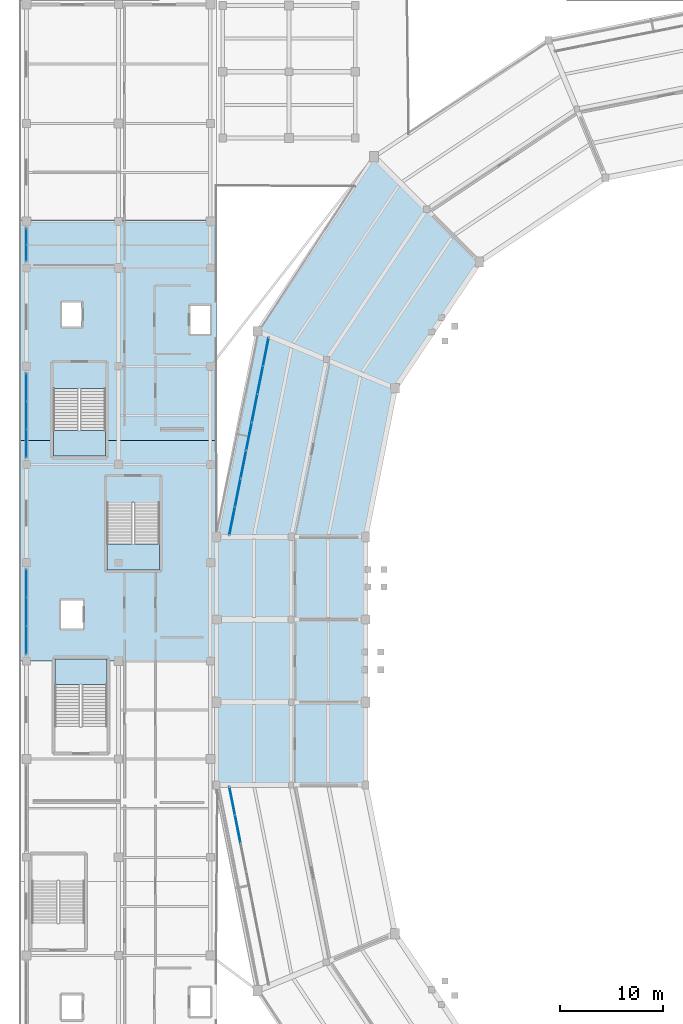
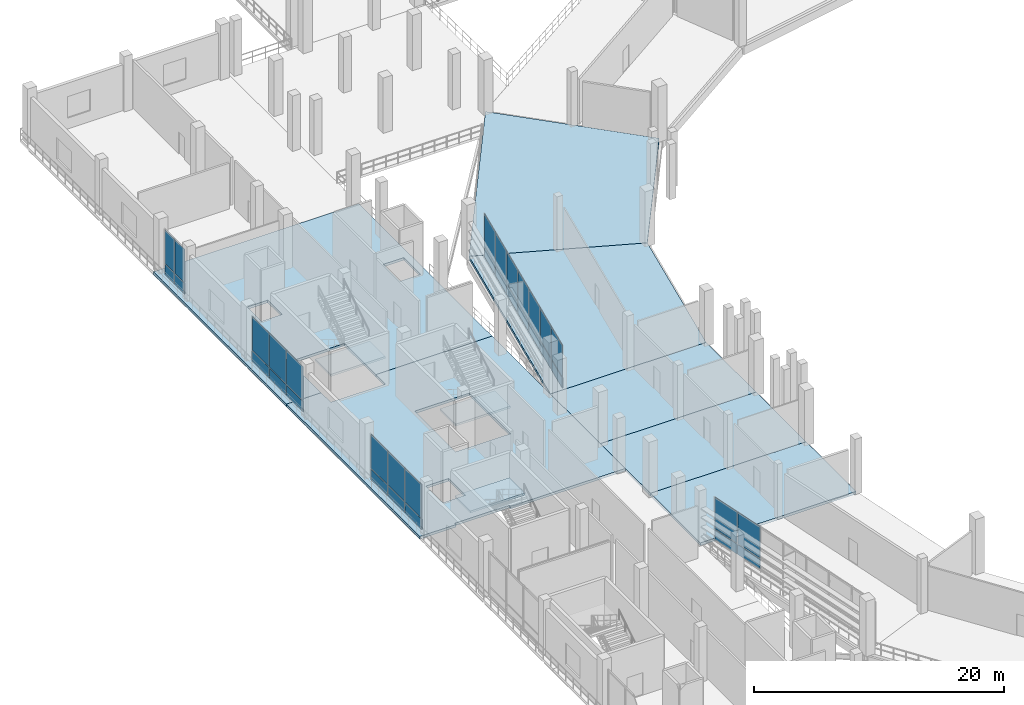
# One storey, part 64 of 114: 34 plates, 10 slabs, 8 elements without a shape of their own.
"""IFC4 building model written with IfcOpenShell, lengths in metres."""

import ifcopenshell
import ifcopenshell.guid

model = None  # the IFC model being written
_history = None  # IfcOwnerHistory: only IFC2X3 demands one
_inside = {}  # id of a spatial element -> (the spatial element, [elements in it])
_under = {}  # id of a project, library or spatial element -> (it, [spatial elements below it])
_declared = {}  # id of a project -> (the project, [libraries it declares])
_typed = {}  # id of a type object -> (the type object, [elements of that type])
_made_of = {}  # id of a material, layer set ... -> (it, [elements and type objects made of it])


def new_model(schema):
    """Start an empty IFC model of exactly this schema.

    Asked for "IFC4X3", IfcOpenShell would pick the latest addendum, in which some entities
    have other attributes; the version numbers below select the first issue.
    IFC2X3 requires an IfcOwnerHistory on every rooted entity: one is made here for all.
    """
    global model, _history
    if schema == "IFC4X3":
        model = ifcopenshell.file(schema_version=(4, 3, 0, 0))
    else:
        model = ifcopenshell.file(schema=schema)
    _inside.clear()
    _under.clear()
    _declared.clear()
    _typed.clear()
    _made_of.clear()
    _history = None
    if model.schema == "IFC2X3":
        org = make("IfcOrganization", Name="unknown")
        user = make(
            "IfcPersonAndOrganization",
            ThePerson=make("IfcPerson", FamilyName="unknown"),
            TheOrganization=org,
        )
        app = make(
            "IfcApplication",
            ApplicationDeveloper=org,
            Version="unknown",
            ApplicationFullName="unknown",
            ApplicationIdentifier="unknown",
        )
        _history = make(
            "IfcOwnerHistory",
            OwningUser=user,
            OwningApplication=app,
            ChangeAction="ADDED",
            CreationDate=0,
        )
    return model


def make(cls, **values):
    """One entity of the class cls with the attributes given. An attribute that is None is left unset."""
    return model.create_entity(
        cls, **{name: value for name, value in values.items() if value is not None}
    )


def rooted(cls, **values):
    """An entity with a GlobalId (a new one), such as an element, a storey or a relation."""
    return make(cls, GlobalId=ifcopenshell.guid.new(), OwnerHistory=_history, **values)


def si_unit(unit_type, name, prefix=None):
    """IfcSIUnit, for example si_unit("LENGTHUNIT", "METRE", prefix="MILLI")."""
    return make("IfcSIUnit", UnitType=unit_type, Prefix=prefix, Name=name)


def assignment(units):
    """IfcUnitAssignment: the units of a project."""
    return None if units is None else make("IfcUnitAssignment", Units=units)


def point(xyz):
    """IfcCartesianPoint."""
    return None if xyz is None else make("IfcCartesianPoint", Coordinates=xyz)


def direction(xyz):
    """IfcDirection."""
    return None if xyz is None else make("IfcDirection", DirectionRatios=xyz)


def frame(location, z_axis=None, x_axis=None):
    """IfcAxis2Placement3D, a coordinate frame: its origin and axes. An axis left out is left unset."""
    return make(
        "IfcAxis2Placement3D",
        Location=point(location),
        Axis=direction(z_axis),
        RefDirection=direction(x_axis),
    )


def frame_2d(location, x_axis=None):
    """IfcAxis2Placement2D, a coordinate frame in the plane: its origin and x axis."""
    return make(
        "IfcAxis2Placement2D", Location=point(location), RefDirection=direction(x_axis)
    )


def origin():
    """The frame at (0, 0, 0) with its axes left unset."""
    return frame((0.0, 0.0, 0.0))


def origin_2d():
    """The frame at (0, 0) in the plane with its x axis left unset."""
    return frame_2d((0.0, 0.0))


def place(relative_to, where):
    """IfcLocalPlacement: puts the frame where relative to a parent placement (None: the world)."""
    return make(
        "IfcLocalPlacement", PlacementRelTo=relative_to, RelativePlacement=where
    )


def context(
    kind, dimensions, precision=None, world=None, true_north=None, identifier=None
):
    """IfcGeometricRepresentationContext, for example the 3D "Model" context."""
    return make(
        "IfcGeometricRepresentationContext",
        ContextIdentifier=identifier,
        ContextType=kind,
        CoordinateSpaceDimension=dimensions,
        Precision=precision,
        WorldCoordinateSystem=world,
        TrueNorth=true_north,
    )


def subcontext(parent, identifier, kind, view, scale=None):
    """IfcGeometricRepresentationSubContext, for example "Body" below "Model"."""
    return make(
        "IfcGeometricRepresentationSubContext",
        ContextIdentifier=identifier,
        ContextType=kind,
        ParentContext=parent,
        TargetScale=scale,
        TargetView=view,
    )


def project(units=None, contexts=None):
    """IfcProject with its units and contexts."""
    return rooted(
        "IfcProject",
        Name="project",
        RepresentationContexts=contexts,
        UnitsInContext=assignment(units),
    )


def spatial(cls, under=None, at=None, **own):
    """A site, building, storey or space (cls), placed at a placement, below another one or the project."""
    s = rooted(cls, ObjectPlacement=at, **own)
    if under is not None:
        _under.setdefault(under.id(), (under, []))[1].append(s)
    return s


def polyline(points):
    """IfcPolyline through the points."""
    return make("IfcPolyline", Points=[point(p) for p in points])


def profile(cls, at=None, kind="AREA", **sizes):
    """A parametric profile (cls). Its sizes go by their IFC names, for example OverallWidth=200.0."""
    return make(cls, ProfileType=kind, Position=at, **sizes)


def rectangle(**sizes):
    """IfcRectangleProfileDef."""
    return profile("IfcRectangleProfileDef", **sizes)


def outline(outer, holes=None, kind="AREA"):
    """IfcArbitraryClosedProfileDef: a profile drawn as a closed curve; with holes, ...WithVoids."""
    if holes is None:
        return make("IfcArbitraryClosedProfileDef", ProfileType=kind, OuterCurve=outer)
    return make(
        "IfcArbitraryProfileDefWithVoids",
        ProfileType=kind,
        OuterCurve=outer,
        InnerCurves=holes,
    )


def extrude(swept, where, along, depth):
    """IfcExtrudedAreaSolid: the profile swept, set in the frame where, extruded along a direction by depth."""
    return make(
        "IfcExtrudedAreaSolid",
        SweptArea=swept,
        Position=where,
        ExtrudedDirection=direction(along),
        Depth=depth,
    )


def shape(context_of_items, identifier, shape_type, items):
    """IfcShapeRepresentation: the items that make up one representation, for example the "Body"."""
    return make(
        "IfcShapeRepresentation",
        ContextOfItems=context_of_items,
        RepresentationIdentifier=identifier,
        RepresentationType=shape_type,
        Items=items,
    )


def material(Name=None, Category=None):
    """IfcMaterial."""
    return make("IfcMaterial", Name=Name, Category=Category)


def layer(
    of_material, thickness, ventilated=None, Name=None, Category=None, Priority=None
):
    """IfcMaterialLayer: one layer of a wall or slab, of a material (None: an air gap)."""
    return make(
        "IfcMaterialLayer",
        Material=of_material,
        LayerThickness=thickness,
        IsVentilated=ventilated,
        Name=Name,
        Category=Category,
        Priority=Priority,
    )


def layer_set(layers, Name=None):
    """IfcMaterialLayerSet."""
    return make("IfcMaterialLayerSet", MaterialLayers=layers, LayerSetName=Name)


def made_of(thing, what):
    """Note that an element or type object is made of a material, layer set ...; save() writes the relation."""
    if what is not None:
        _made_of.setdefault(what.id(), (what, []))[1].append(thing)
    return thing


def type_object(cls, material=None, **own):
    """A type object (cls), such as IfcWallType, which elements share."""
    return made_of(rooted(cls, **own), material)


def element(
    cls,
    number,
    at=None,
    inside=None,
    cuts=None,
    type_object=None,
    material=None,
    context=None,
    identifier="Body",
    shape_type=None,
    held_by="IfcProductDefinitionShape",
    body=None,
    shapes=None,
    **own,
):
    """One element of the class cls, such as IfcWall. Its Tag is "e" and its number.

    at: its placement. inside: the storey or other place that contains it. cuts: it is an
    opening in that element (IfcRelVoidsElement). A single representation is given by context,
    identifier, shape_type and body (its items); several are given by shapes. held_by: the class
    of the entity that holds the representations. save() writes the other relations.
    """
    e = rooted(cls, Tag="e%d" % number, ObjectPlacement=at, **own)
    if body is not None:
        shapes = [shape(context, identifier, shape_type, body)]
    if shapes is not None:
        e.Representation = make(held_by, Representations=shapes)
    if inside is not None:
        _inside.setdefault(inside.id(), (inside, []))[1].append(e)
    if cuts is not None:
        rooted(
            "IfcRelVoidsElement", RelatingBuildingElement=cuts, RelatedOpeningElement=e
        )
    if type_object is not None:
        _typed.setdefault(type_object.id(), (type_object, []))[1].append(e)
    return made_of(e, material)


def aggregate(whole, parts):
    """IfcRelAggregates: a whole, such as a stair, and the parts it consists of."""
    return rooted("IfcRelAggregates", RelatingObject=whole, RelatedObjects=parts)


def save(model, path):
    """Write the relations noted so far, then the file.

    IfcRelAggregates (storeys below a building ...), IfcRelContainedInSpatialStructure (elements
    in a storey), IfcRelDefinesByType, IfcRelAssociatesMaterial and IfcRelDeclares: one each for
    every whole, place, type object, material and project.
    """
    for whole, parts in _under.values():
        aggregate(whole, parts)
    for where, things in _inside.values():
        rooted(
            "IfcRelContainedInSpatialStructure",
            RelatedElements=things,
            RelatingStructure=where,
        )
    for kind, things in _typed.values():
        rooted("IfcRelDefinesByType", RelatedObjects=things, RelatingType=kind)
    for what, things in _made_of.values():
        rooted("IfcRelAssociatesMaterial", RelatedObjects=things, RelatingMaterial=what)
    for by, libraries in _declared.values():
        rooted("IfcRelDeclares", RelatingContext=by, RelatedDefinitions=libraries)
    model.write(path)


model = new_model("IFC4")

# Units and contexts
model_context = context("Model", 3, precision=1e-05, world=origin(), true_north=direction((0.0, 1.0)))
body_context = subcontext(model_context, "Body", "Model", "MODEL_VIEW")
ifc_project = project(units=[si_unit("LENGTHUNIT", "METRE"), si_unit("AREAUNIT", "SQUARE_METRE"), si_unit("VOLUMEUNIT", "CUBIC_METRE"), si_unit("PLANEANGLEUNIT", "RADIAN"), si_unit("MASSUNIT", "GRAM", prefix="KILO")], contexts=[model_context])

# Site, building, storey
site_placement = place(None, origin())
site = spatial("IfcSite", under=ifc_project, at=site_placement, CompositionType="ELEMENT")
building_placement = place(site_placement, origin())
building = spatial("IfcBuilding", under=site, at=building_placement, Name="Candeia Ridge Stadium", CompositionType="ELEMENT")
storey_placement = place(building_placement, frame((0.0, 0.0, 5.39990234375)))
storey = spatial("IfcBuildingStorey", under=building, at=storey_placement, Name="L01", CompositionType="ELEMENT", Elevation=5.39990234375)

# Slabs
ifc_material_1 = material(Name="Concrete C40/50", Category="concrete")
ifc_layer_1 = layer(ifc_material_1, 0.260009765625, Name="Concrete C40/50", Category="concrete")
ifc_layer_set_1 = layer_set([ifc_layer_1], Name="Concrete C40/50")
slab_type_1 = type_object("IfcSlabType", Name="Concourse Structural Slab 260", PredefinedType="FLOOR", material=ifc_layer_set_1)
slab_1_placement = place(storey_placement, frame((0.0, 0.0, -0.260009765625)))
element("IfcSlab", 1, at=slab_1_placement, inside=storey, type_object=slab_type_1, Name="Bowl concourse sector slab L01 bay 10 SLB-L01-0046", PredefinedType="FLOOR", context=body_context, shape_type="SweptSolid", body=[
    extrude(outline(polyline([(36.26220703125, 109.388916015625), (22.958251953125, 114.8994140625), (34.208251953125, 131.736328125), (44.390625, 121.553955078125), (36.26220703125, 109.388916015625)])), origin(), (0.0, 0.0, 1.0), 0.260009765625),
])
slab_2_placement = place(storey_placement, frame((0.0, 0.0, -0.260009765625)))
element("IfcSlab", 2, at=slab_2_placement, inside=storey, type_object=slab_type_1, Name="Bowl concourse sector slab L01 bay 11 SLB-L01-0047", PredefinedType="FLOOR", context=body_context, shape_type="SweptSolid", body=[
    extrude(outline(polyline([(33.39990234375, 95.0), (19.0, 95.0), (22.958251953125, 114.8994140625), (36.26220703125, 109.388916015625), (33.39990234375, 95.0)])), origin(), (0.0, 0.0, 1.0), 0.260009765625),
])
slab_3_placement = place(storey_placement, frame((0.0, 0.0, -0.260009765625)))
element("IfcSlab", 3, at=slab_3_placement, inside=storey, type_object=slab_type_1, Name="Bowl concourse sector slab L01 bay 12 SLB-L01-0048", PredefinedType="FLOOR", context=body_context, shape_type="SweptSolid", body=[
    extrude(outline(polyline([(33.39990234375, 87.0), (19.0, 87.0), (19.0, 95.0), (33.39990234375, 95.0), (33.39990234375, 87.0)])), origin(), (0.0, 0.0, 1.0), 0.260009765625),
])
slab_4_placement = place(storey_placement, frame((0.0, 0.0, -0.260009765625)))
element("IfcSlab", 4, at=slab_4_placement, inside=storey, type_object=slab_type_1, Name="Bowl concourse sector slab L01 bay 13 SLB-L01-0049", PredefinedType="FLOOR", context=body_context, shape_type="SweptSolid", body=[
    extrude(outline(polyline([(33.39990234375, 79.0), (19.0, 79.0), (19.0, 87.0), (33.39990234375, 87.0), (33.39990234375, 79.0)])), origin(), (0.0, 0.0, 1.0), 0.260009765625),
])
slab_5_placement = place(storey_placement, frame((0.0, 0.0, -0.260009765625)))
element("IfcSlab", 5, at=slab_5_placement, inside=storey, type_object=slab_type_1, Name="Bowl concourse sector slab L01 bay 14 SLB-L01-0050", PredefinedType="FLOOR", context=body_context, shape_type="SweptSolid", body=[
    extrude(outline(polyline([(33.39990234375, 71.0), (19.0, 71.0), (19.0, 79.0), (33.39990234375, 79.0), (33.39990234375, 71.0)])), origin(), (0.0, 0.0, 1.0), 0.260009765625),
])

# Stair, slab
stair_type = type_object("IfcStairType", Name="Enclosed Core Half-Turn Stair 2450", PredefinedType="HALF_TURN_STAIR", material=ifc_material_1)
stair_1_placement = place(storey_placement, origin())
stair_1 = element("IfcStair", 6, at=stair_1_placement, inside=storey, type_object=stair_type, Name="L01 Enclosed exit stair ST06", PredefinedType="HALF_TURN_STAIR")
ifc_layer_2 = layer(ifc_material_1, 0.199951171875, Name="Concrete C40/50", Category="concrete")
ifc_layer_set_2 = layer_set([ifc_layer_2], Name="Concrete C40/50")
slab_type_2 = type_object("IfcSlabType", Name="Core Stair Landing Slab 200", PredefinedType="LANDING", material=ifc_layer_set_2)
slab_6_placement = place(storey_placement, frame((0.0, 0.0, 2.5)))
slab_6 = element("IfcSlab", 7, at=slab_6_placement, type_object=slab_type_2, Name="ST06 landing 1", PredefinedType="LANDING", context=body_context, shape_type="SweptSolid", body=[
    extrude(outline(polyline([(3.199951171875, 105.2900390625), (3.199951171875, 102.800048828125), (8.25, 102.800048828125), (8.25, 105.2900390625), (3.199951171875, 105.2900390625)])), origin(), (0.0, 0.0, 1.0), 0.2001953125),
])
aggregate(stair_1, [slab_6])

stair_2_placement = place(storey_placement, origin())
stair_2 = element("IfcStair", 8, at=stair_2_placement, inside=storey, type_object=stair_type, Name="L01 Enclosed exit stair ST07", PredefinedType="HALF_TURN_STAIR")
slab_7_placement = place(storey_placement, frame((0.0, 0.0, 2.5)))
slab_7 = element("IfcSlab", 9, at=slab_7_placement, type_object=slab_type_2, Name="ST07 landing 1", PredefinedType="LANDING", context=body_context, shape_type="SweptSolid", body=[
    extrude(outline(polyline([(8.39990234375, 80.7099609375), (8.39990234375, 83.199951171875), (3.35009765625, 83.199951171875), (3.35009765625, 80.7099609375), (8.39990234375, 80.7099609375)])), origin(), (0.0, 0.0, 1.0), 0.2001953125),
])
aggregate(stair_2, [slab_7])

stair_3_placement = place(storey_placement, origin())
stair_3 = element("IfcStair", 10, at=stair_3_placement, inside=storey, type_object=stair_type, Name="L01 Enclosed exit stair ST08", PredefinedType="HALF_TURN_STAIR")
slab_8_placement = place(storey_placement, frame((0.0, 0.0, 2.5)))
slab_8 = element("IfcSlab", 11, at=slab_8_placement, type_object=slab_type_2, Name="ST08 landing 1", PredefinedType="LANDING", context=body_context, shape_type="SweptSolid", body=[
    extrude(outline(polyline([(8.39990234375, 94.2900390625), (8.39990234375, 91.800048828125), (13.449951171875, 91.800048828125), (13.449951171875, 94.2900390625), (8.39990234375, 94.2900390625)])), origin(), (0.0, 0.0, 1.0), 0.2001953125),
])
aggregate(stair_3, [slab_8])

# Curtain wall, plates
ifc_material_2 = material(Name="Aluminium Anodized Warm Bronze", Category="aluminium")
curtain_wall_type_1 = type_object("IfcCurtainWallType", Name="Cardinal Entrance Gate Tall Glazed Curtain Wall", PredefinedType="NOTDEFINED", material=ifc_material_2)
curtain_wall_1_placement = place(storey_placement, origin())
curtain_wall_1 = element("IfcCurtainWall", 12, at=curtain_wall_1_placement, inside=storey, type_object=curtain_wall_type_1, Name="Unitised curtain wall CW-WNG-L01-078", PredefinedType="NOTDEFINED")
ifc_material_3 = material(Name="Laminated Acoustic Glazing", Category="glass")
ifc_layer_3 = layer(ifc_material_3, 0.035888671875, Name="Laminated Acoustic Glazing", Category="glass")
ifc_layer_set_3 = layer_set([ifc_layer_3], Name="Laminated Acoustic Glazing")
plate_type_1 = type_object("IfcPlateType", Name="Gate Tall Laminated Glass Panel GP3", PredefinedType="CURTAIN_PANEL", material=ifc_layer_set_3)
plate_1_placement = place(storey_placement, frame((0.60009765625, 85.023193359375, 1.14013671875), z_axis=(0.0, 0.0, 1.0), x_axis=(0.0, 1.0, 0.0)))
plate_1 = element("IfcPlate", 13, at=plate_1_placement, type_object=plate_type_1, Name="Curtain wall vision glass panel CW-WNG-L01-078-GP0", PredefinedType="CURTAIN_PANEL", context=body_context, shape_type="SweptSolid", body=[
    extrude(rectangle(XDim=2.65673828125, YDim=0.035888671875, at=origin_2d()), origin(), (0.0, 0.0, 1.0), 3.294921875),
])
plate_2_placement = place(storey_placement, frame((0.60009765625, 87.75, 1.14013671875), z_axis=(0.0, 0.0, 1.0), x_axis=(0.0, 1.0, 0.0)))
plate_2 = element("IfcPlate", 14, at=plate_2_placement, type_object=plate_type_1, Name="Curtain wall vision glass panel CW-WNG-L01-078-GP1", PredefinedType="CURTAIN_PANEL", context=body_context, shape_type="SweptSolid", body=[
    extrude(rectangle(XDim=2.65673828125, YDim=0.035888671875, at=origin_2d()), origin(), (0.0, 0.0, 1.0), 3.294921875),
])
plate_3_placement = place(storey_placement, frame((0.60009765625, 90.476806640625, 1.14013671875), z_axis=(0.0, 0.0, 1.0), x_axis=(0.0, 1.0, 0.0)))
plate_3 = element("IfcPlate", 15, at=plate_3_placement, type_object=plate_type_1, Name="Curtain wall vision glass panel CW-WNG-L01-078-GP2", PredefinedType="CURTAIN_PANEL", context=body_context, shape_type="SweptSolid", body=[
    extrude(rectangle(XDim=2.65673828125, YDim=0.035888671875, at=origin_2d()), origin(), (0.0, 0.0, 1.0), 3.294921875),
])

curtain_wall_2_placement = place(storey_placement, origin())
curtain_wall_2 = element("IfcCurtainWall", 16, at=curtain_wall_2_placement, inside=storey, type_object=curtain_wall_type_1, Name="Unitised curtain wall CW-WNG-L01-079", PredefinedType="NOTDEFINED")
plate_4_placement = place(storey_placement, frame((0.60009765625, 104.023193359375, 1.14013671875), z_axis=(0.0, 0.0, 1.0), x_axis=(0.0, 1.0, 0.0)))
plate_4 = element("IfcPlate", 17, at=plate_4_placement, type_object=plate_type_1, Name="Curtain wall vision glass panel CW-WNG-L01-079-GP0", PredefinedType="CURTAIN_PANEL", context=body_context, shape_type="SweptSolid", body=[
    extrude(rectangle(XDim=2.65673828125, YDim=0.035888671875, at=origin_2d()), origin(), (0.0, 0.0, 1.0), 3.294921875),
])
plate_5_placement = place(storey_placement, frame((0.60009765625, 106.75, 1.14013671875), z_axis=(0.0, 0.0, 1.0), x_axis=(0.0, 1.0, 0.0)))
plate_5 = element("IfcPlate", 18, at=plate_5_placement, type_object=plate_type_1, Name="Curtain wall vision glass panel CW-WNG-L01-079-GP1", PredefinedType="CURTAIN_PANEL", context=body_context, shape_type="SweptSolid", body=[
    extrude(rectangle(XDim=2.65673828125, YDim=0.035888671875, at=origin_2d()), origin(), (0.0, 0.0, 1.0), 3.294921875),
])
plate_6_placement = place(storey_placement, frame((0.60009765625, 109.476806640625, 1.14013671875), z_axis=(0.0, 0.0, 1.0), x_axis=(0.0, 1.0, 0.0)))
plate_6 = element("IfcPlate", 19, at=plate_6_placement, type_object=plate_type_1, Name="Curtain wall vision glass panel CW-WNG-L01-079-GP2", PredefinedType="CURTAIN_PANEL", context=body_context, shape_type="SweptSolid", body=[
    extrude(rectangle(XDim=2.65673828125, YDim=0.035888671875, at=origin_2d()), origin(), (0.0, 0.0, 1.0), 3.294921875),
])

curtain_wall_3_placement = place(storey_placement, origin())
curtain_wall_3 = element("IfcCurtainWall", 20, at=curtain_wall_3_placement, inside=storey, type_object=curtain_wall_type_1, Name="Unitised curtain wall CW-WNG-L01-080", PredefinedType="NOTDEFINED")
plate_7_placement = place(storey_placement, frame((0.60009765625, 122.455078125, 1.14013671875), z_axis=(0.0, 0.0, 1.0), x_axis=(0.0, 1.0, 0.0)))
plate_7 = element("IfcPlate", 21, at=plate_7_placement, type_object=plate_type_1, Name="Curtain wall vision glass panel CW-WNG-L01-080-GP0", PredefinedType="CURTAIN_PANEL", context=body_context, shape_type="SweptSolid", body=[
    extrude(rectangle(XDim=1.52001953125, YDim=0.035888671875, at=origin_2d()), origin(), (0.0, 0.0, 1.0), 3.294921875),
])
plate_8_placement = place(storey_placement, frame((0.60009765625, 124.044921875, 1.14013671875), z_axis=(0.0, 0.0, 1.0), x_axis=(0.0, 1.0, 0.0)))
plate_8 = element("IfcPlate", 22, at=plate_8_placement, type_object=plate_type_1, Name="Curtain wall vision glass panel CW-WNG-L01-080-GP1", PredefinedType="CURTAIN_PANEL", context=body_context, shape_type="SweptSolid", body=[
    extrude(rectangle(XDim=1.52001953125, YDim=0.035888671875, at=origin_2d()), origin(), (0.0, 0.0, 1.0), 3.294921875),
])

# Slabs
ifc_layer_4 = layer(ifc_material_1, 0.25, Name="Concrete C40/50", Category="concrete")
ifc_layer_set_4 = layer_set([ifc_layer_4], Name="Concrete C40/50")
slab_type_3 = type_object("IfcSlabType", Name="Hospitality & Museum Slab 250", PredefinedType="FLOOR", material=ifc_layer_set_4)
slab_9_placement = place(storey_placement, frame((0.0, 0.0, -0.25)))
element("IfcSlab", 23, at=slab_9_placement, inside=storey, type_object=slab_type_3, Name="Wing floor slab west SLB-L01-0215", PredefinedType="FLOOR", context=body_context, shape_type="SweptSolid", body=[
    extrude(outline(polyline([(19.0, 104.333251953125), (19.0, 83.0), (8.39990234375, 83.0), (8.39990234375, 83.199951171875), (3.35009765625, 83.199951171875), (3.35009765625, 83.0), (0.0, 83.0), (0.0, 104.333251953125), (3.199951171875, 104.333251953125), (3.199951171875, 102.800048828125), (8.25, 102.800048828125), (8.25, 104.333251953125), (19.0, 104.333251953125)]), holes=[polyline([(6.050048828125, 86.14990234375), (6.050048828125, 88.85009765625), (3.949951171875, 88.85009765625), (3.949951171875, 86.14990234375), (6.050048828125, 86.14990234375)]), polyline([(8.39990234375, 98.349365234375), (8.39990234375, 91.800048828125), (13.449951171875, 91.800048828125), (13.449951171875, 98.349365234375), (8.39990234375, 98.349365234375)])]), origin(), (0.0, 0.0, 1.0), 0.25),
])
slab_10_placement = place(storey_placement, frame((0.0, 0.0, -0.25)))
element("IfcSlab", 24, at=slab_10_placement, inside=storey, type_object=slab_type_3, Name="Wing floor slab west SLB-L01-0216", PredefinedType="FLOOR", context=body_context, shape_type="SweptSolid", body=[
    extrude(outline(polyline([(0.0, 104.333251953125), (0.0, 125.666748046875), (19.0, 125.666748046875), (19.0, 104.333251953125), (8.25, 104.333251953125), (8.25, 109.349365234375), (3.199951171875, 109.349365234375), (3.199951171875, 104.333251953125), (0.0, 104.333251953125)]), holes=[polyline([(18.35009765625, 114.64990234375), (18.35009765625, 117.35009765625), (16.449951171875, 117.35009765625), (16.449951171875, 114.64990234375), (18.35009765625, 114.64990234375)]), polyline([(5.949951171875, 115.35009765625), (5.949951171875, 117.64990234375), (4.050048828125, 117.64990234375), (4.050048828125, 115.35009765625), (5.949951171875, 115.35009765625)])]), origin(), (0.0, 0.0, 1.0), 0.25),
])

# Curtain wall, plates
curtain_wall_type_2 = type_object("IfcCurtainWallType", Name="Concourse Recessed Unitised Curtain Wall", PredefinedType="NOTDEFINED", material=ifc_material_2)
curtain_wall_4_placement = place(storey_placement, origin())
curtain_wall_4 = element("IfcCurtainWall", 25, at=curtain_wall_4_placement, inside=storey, type_object=curtain_wall_type_2, Name="Unitised curtain wall CW-BWL-L01-10", PredefinedType="NOTDEFINED")
ifc_material_4 = material(Name="Aluminium Insulated Spandrel", Category="aluminium")
ifc_layer_5 = layer(ifc_material_4, 0.06494140625, Name="Aluminium Insulated Spandrel", Category="aluminium")
ifc_layer_set_5 = layer_set([ifc_layer_5], Name="Aluminium Insulated Spandrel")
plate_type_2 = type_object("IfcPlateType", Name="Insulated Bronze Spandrel Panel SP5", PredefinedType="CURTAIN_PANEL", material=ifc_layer_set_5)
plate_9_placement = place(storey_placement, frame((23.760498046875, 112.900390625, 0.0400390625), z_axis=(0.0, 0.0, 1.0), x_axis=(-0.195090320544, -0.980785280696, 0.0)))
plate_9 = element("IfcPlate", 26, at=plate_9_placement, type_object=plate_type_2, Name="Curtain wall spandrel panel CW-BWL-L01-10-SP0", PredefinedType="CURTAIN_PANEL", context=body_context, shape_type="SweptSolid", body=[
    extrude(rectangle(XDim=2.710205078125, YDim=0.06494140625, at=origin_2d()), origin(), (0.0, 0.0, 1.0), 0.981201171875),
])
plate_10_placement = place(storey_placement, frame((23.21826171875, 110.173583984375, 0.0400390625), z_axis=(0.0, 0.0, 1.0), x_axis=(-0.195090320544, -0.980785280696, 0.0)))
plate_10 = element("IfcPlate", 27, at=plate_10_placement, type_object=plate_type_2, Name="Curtain wall spandrel panel CW-BWL-L01-10-SP1", PredefinedType="CURTAIN_PANEL", context=body_context, shape_type="SweptSolid", body=[
    extrude(rectangle(XDim=2.710205078125, YDim=0.06494140625, at=origin_2d()), origin(), (0.0, 0.0, 1.0), 0.981201171875),
])
plate_11_placement = place(storey_placement, frame((22.67578125, 107.447021484375, 0.0400390625), z_axis=(0.0, 0.0, 1.0), x_axis=(-0.195090320544, -0.980785280696, 0.0)))
plate_11 = element("IfcPlate", 28, at=plate_11_placement, type_object=plate_type_2, Name="Curtain wall spandrel panel CW-BWL-L01-10-SP2", PredefinedType="CURTAIN_PANEL", context=body_context, shape_type="SweptSolid", body=[
    extrude(rectangle(XDim=2.710205078125, YDim=0.06494140625, at=origin_2d()), origin(), (0.0, 0.0, 1.0), 0.981201171875),
])
plate_12_placement = place(storey_placement, frame((22.13330078125, 104.72021484375, 0.0400390625), z_axis=(0.0, 0.0, 1.0), x_axis=(-0.195090320544, -0.980785280696, 0.0)))
plate_12 = element("IfcPlate", 29, at=plate_12_placement, type_object=plate_type_2, Name="Curtain wall spandrel panel CW-BWL-L01-10-SP3", PredefinedType="CURTAIN_PANEL", context=body_context, shape_type="SweptSolid", body=[
    extrude(rectangle(XDim=2.710205078125, YDim=0.06494140625, at=origin_2d()), origin(), (0.0, 0.0, 1.0), 0.981201171875),
])
plate_13_placement = place(storey_placement, frame((21.591064453125, 101.993408203125, 0.0400390625), z_axis=(0.0, 0.0, 1.0), x_axis=(-0.195090320544, -0.980785280696, 0.0)))
plate_13 = element("IfcPlate", 30, at=plate_13_placement, type_object=plate_type_2, Name="Curtain wall spandrel panel CW-BWL-L01-10-SP4", PredefinedType="CURTAIN_PANEL", context=body_context, shape_type="SweptSolid", body=[
    extrude(rectangle(XDim=2.710205078125, YDim=0.06494140625, at=origin_2d()), origin(), (0.0, 0.0, 1.0), 0.981201171875),
])
plate_14_placement = place(storey_placement, frame((21.048583984375, 99.2666015625, 0.0400390625), z_axis=(0.0, 0.0, 1.0), x_axis=(-0.195090320544, -0.980785280696, 0.0)))
plate_14 = element("IfcPlate", 31, at=plate_14_placement, type_object=plate_type_2, Name="Curtain wall spandrel panel CW-BWL-L01-10-SP5", PredefinedType="CURTAIN_PANEL", context=body_context, shape_type="SweptSolid", body=[
    extrude(rectangle(XDim=2.710205078125, YDim=0.06494140625, at=origin_2d()), origin(), (0.0, 0.0, 1.0), 0.981201171875),
])
plate_15_placement = place(storey_placement, frame((20.50634765625, 96.539794921875, 0.0400390625), z_axis=(0.0, 0.0, 1.0), x_axis=(-0.195090320544, -0.980785280696, 0.0)))
plate_15 = element("IfcPlate", 32, at=plate_15_placement, type_object=plate_type_2, Name="Curtain wall spandrel panel CW-BWL-L01-10-SP6", PredefinedType="CURTAIN_PANEL", context=body_context, shape_type="SweptSolid", body=[
    extrude(rectangle(XDim=2.710205078125, YDim=0.06494140625, at=origin_2d()), origin(), (0.0, 0.0, 1.0), 0.981201171875),
])

curtain_wall_5_placement = place(storey_placement, origin())
curtain_wall_5 = element("IfcCurtainWall", 33, at=curtain_wall_5_placement, inside=storey, type_object=curtain_wall_type_2, Name="Unitised curtain wall CW-BWL-L01-14", PredefinedType="NOTDEFINED")
plate_16_placement = place(storey_placement, frame((20.50634765625, 69.460205078125, 0.0400390625), z_axis=(0.0, 0.0, 1.0), x_axis=(0.195090320544, -0.980785280696, 0.0)))
plate_16 = element("IfcPlate", 34, at=plate_16_placement, type_object=plate_type_2, Name="Curtain wall spandrel panel CW-BWL-L01-14-SP0", PredefinedType="CURTAIN_PANEL", context=body_context, shape_type="SweptSolid", body=[
    extrude(rectangle(XDim=2.710205078125, YDim=0.06494140625, at=origin_2d()), origin(), (0.0, 0.0, 1.0), 0.97119140625),
])
plate_17_placement = place(storey_placement, frame((21.048583984375, 66.7333984375, 0.0400390625), z_axis=(0.0, 0.0, 1.0), x_axis=(0.195090320544, -0.980785280696, 0.0)))
plate_17 = element("IfcPlate", 35, at=plate_17_placement, type_object=plate_type_2, Name="Curtain wall spandrel panel CW-BWL-L01-14-SP1", PredefinedType="CURTAIN_PANEL", context=body_context, shape_type="SweptSolid", body=[
    extrude(rectangle(XDim=2.710205078125, YDim=0.06494140625, at=origin_2d()), origin(), (0.0, 0.0, 1.0), 0.97119140625),
])

# Plate
ifc_layer_6 = layer(ifc_material_4, 0.06494140625, Name="Aluminium Insulated Spandrel", Category="aluminium")
ifc_layer_set_6 = layer_set([ifc_layer_6], Name="Aluminium Insulated Spandrel")
plate_type_3 = type_object("IfcPlateType", Name="Insulated Cedar-Tone Spandrel Panel SP3", PredefinedType="CURTAIN_PANEL", material=ifc_layer_set_6)
plate_18_placement = place(storey_placement, frame((0.60009765625, 85.023193359375, 0.0400390625), z_axis=(0.0, 0.0, 1.0), x_axis=(0.0, 1.0, 0.0)))
plate_18 = element("IfcPlate", 36, at=plate_18_placement, type_object=plate_type_3, Name="Curtain wall spandrel panel CW-WNG-L01-078-SP0", PredefinedType="CURTAIN_PANEL", context=body_context, shape_type="SweptSolid", body=[
    extrude(rectangle(XDim=2.65673828125, YDim=0.06494140625, at=origin_2d()), origin(), (0.0, 0.0, 1.0), 1.02001953125),
])

plate_19_placement = place(storey_placement, frame((0.60009765625, 87.75, 0.0400390625), z_axis=(0.0, 0.0, 1.0), x_axis=(0.0, 1.0, 0.0)))
plate_19 = element("IfcPlate", 37, at=plate_19_placement, type_object=plate_type_3, Name="Curtain wall spandrel panel CW-WNG-L01-078-SP1", PredefinedType="CURTAIN_PANEL", context=body_context, shape_type="SweptSolid", body=[
    extrude(rectangle(XDim=2.65673828125, YDim=0.06494140625, at=origin_2d()), origin(), (0.0, 0.0, 1.0), 1.02001953125),
])

plate_20_placement = place(storey_placement, frame((0.60009765625, 90.476806640625, 0.0400390625), z_axis=(0.0, 0.0, 1.0), x_axis=(0.0, 1.0, 0.0)))
plate_20 = element("IfcPlate", 38, at=plate_20_placement, type_object=plate_type_3, Name="Curtain wall spandrel panel CW-WNG-L01-078-SP2", PredefinedType="CURTAIN_PANEL", context=body_context, shape_type="SweptSolid", body=[
    extrude(rectangle(XDim=2.65673828125, YDim=0.06494140625, at=origin_2d()), origin(), (0.0, 0.0, 1.0), 1.02001953125),
])

aggregate(curtain_wall_1, [plate_18, plate_1, plate_19, plate_2, plate_20, plate_3])

plate_21_placement = place(storey_placement, frame((0.60009765625, 104.023193359375, 0.0400390625), z_axis=(0.0, 0.0, 1.0), x_axis=(0.0, 1.0, 0.0)))
plate_21 = element("IfcPlate", 39, at=plate_21_placement, type_object=plate_type_3, Name="Curtain wall spandrel panel CW-WNG-L01-079-SP0", PredefinedType="CURTAIN_PANEL", context=body_context, shape_type="SweptSolid", body=[
    extrude(rectangle(XDim=2.65673828125, YDim=0.06494140625, at=origin_2d()), origin(), (0.0, 0.0, 1.0), 1.02001953125),
])

plate_22_placement = place(storey_placement, frame((0.60009765625, 106.75, 0.0400390625), z_axis=(0.0, 0.0, 1.0), x_axis=(0.0, 1.0, 0.0)))
plate_22 = element("IfcPlate", 40, at=plate_22_placement, type_object=plate_type_3, Name="Curtain wall spandrel panel CW-WNG-L01-079-SP1", PredefinedType="CURTAIN_PANEL", context=body_context, shape_type="SweptSolid", body=[
    extrude(rectangle(XDim=2.65673828125, YDim=0.06494140625, at=origin_2d()), origin(), (0.0, 0.0, 1.0), 1.02001953125),
])

plate_23_placement = place(storey_placement, frame((0.60009765625, 109.476806640625, 0.0400390625), z_axis=(0.0, 0.0, 1.0), x_axis=(0.0, 1.0, 0.0)))
plate_23 = element("IfcPlate", 41, at=plate_23_placement, type_object=plate_type_3, Name="Curtain wall spandrel panel CW-WNG-L01-079-SP2", PredefinedType="CURTAIN_PANEL", context=body_context, shape_type="SweptSolid", body=[
    extrude(rectangle(XDim=2.65673828125, YDim=0.06494140625, at=origin_2d()), origin(), (0.0, 0.0, 1.0), 1.02001953125),
])

aggregate(curtain_wall_2, [plate_21, plate_4, plate_22, plate_5, plate_23, plate_6])

plate_24_placement = place(storey_placement, frame((0.60009765625, 122.455078125, 0.0400390625), z_axis=(0.0, 0.0, 1.0), x_axis=(0.0, 1.0, 0.0)))
plate_24 = element("IfcPlate", 42, at=plate_24_placement, type_object=plate_type_3, Name="Curtain wall spandrel panel CW-WNG-L01-080-SP0", PredefinedType="CURTAIN_PANEL", context=body_context, shape_type="SweptSolid", body=[
    extrude(rectangle(XDim=1.52001953125, YDim=0.06494140625, at=origin_2d()), origin(), (0.0, 0.0, 1.0), 1.02001953125),
])

plate_25_placement = place(storey_placement, frame((0.60009765625, 124.044921875, 0.0400390625), z_axis=(0.0, 0.0, 1.0), x_axis=(0.0, 1.0, 0.0)))
plate_25 = element("IfcPlate", 43, at=plate_25_placement, type_object=plate_type_3, Name="Curtain wall spandrel panel CW-WNG-L01-080-SP1", PredefinedType="CURTAIN_PANEL", context=body_context, shape_type="SweptSolid", body=[
    extrude(rectangle(XDim=1.52001953125, YDim=0.06494140625, at=origin_2d()), origin(), (0.0, 0.0, 1.0), 1.02001953125),
])

aggregate(curtain_wall_3, [plate_24, plate_7, plate_25, plate_8])

ifc_material_5 = material(Name="Tempered Low-E Double Glazing", Category="glass")
ifc_layer_7 = layer(ifc_material_5, 0.035888671875, Name="Tempered Low-E Double Glazing", Category="glass")
ifc_layer_set_7 = layer_set([ifc_layer_7], Name="Tempered Low-E Double Glazing")
plate_type_4 = type_object("IfcPlateType", Name="Solar Control Vision Glass Panel GP6", PredefinedType="CURTAIN_PANEL", material=ifc_layer_set_7)
plate_26_placement = place(storey_placement, frame((20.50634765625, 69.460205078125, 1.09130859375), z_axis=(0.0, 0.0, 1.0), x_axis=(0.195090320544, -0.980785280696, 0.0)))
plate_26 = element("IfcPlate", 44, at=plate_26_placement, type_object=plate_type_4, Name="Curtain wall vision glass panel CW-BWL-L01-14-GP0", PredefinedType="CURTAIN_PANEL", context=body_context, shape_type="SweptSolid", body=[
    extrude(rectangle(XDim=2.710205078125, YDim=0.035888671875, at=origin_2d()), origin(), (0.0, 0.0, 1.0), 3.07373046875),
])

plate_27_placement = place(storey_placement, frame((21.048583984375, 66.7333984375, 1.09130859375), z_axis=(0.0, 0.0, 1.0), x_axis=(0.195090320544, -0.980785280696, 0.0)))
plate_27 = element("IfcPlate", 45, at=plate_27_placement, type_object=plate_type_4, Name="Curtain wall vision glass panel CW-BWL-L01-14-GP1", PredefinedType="CURTAIN_PANEL", context=body_context, shape_type="SweptSolid", body=[
    extrude(rectangle(XDim=2.710205078125, YDim=0.035888671875, at=origin_2d()), origin(), (0.0, 0.0, 1.0), 3.07373046875),
])

aggregate(curtain_wall_5, [plate_16, plate_26, plate_17, plate_27])

ifc_layer_8 = layer(ifc_material_5, 0.035888671875, Name="Tempered Low-E Double Glazing", Category="glass")
ifc_layer_set_8 = layer_set([ifc_layer_8], Name="Tempered Low-E Double Glazing")
plate_type_5 = type_object("IfcPlateType", Name="Solar Control Vision Glass Panel GP8", PredefinedType="CURTAIN_PANEL", material=ifc_layer_set_8)
plate_28_placement = place(storey_placement, frame((23.760498046875, 112.900390625, 1.10107421875), z_axis=(0.0, 0.0, 1.0), x_axis=(-0.195090320544, -0.980785280696, 0.0)))
plate_28 = element("IfcPlate", 46, at=plate_28_placement, type_object=plate_type_5, Name="Curtain wall vision glass panel CW-BWL-L01-10-GP0", PredefinedType="CURTAIN_PANEL", context=body_context, shape_type="SweptSolid", body=[
    extrude(rectangle(XDim=2.710205078125, YDim=0.035888671875, at=origin_2d()), origin(), (0.0, 0.0, 1.0), 3.103759765625),
])

plate_29_placement = place(storey_placement, frame((23.21826171875, 110.173583984375, 1.10107421875), z_axis=(0.0, 0.0, 1.0), x_axis=(-0.195090320544, -0.980785280696, 0.0)))
plate_29 = element("IfcPlate", 47, at=plate_29_placement, type_object=plate_type_5, Name="Curtain wall vision glass panel CW-BWL-L01-10-GP1", PredefinedType="CURTAIN_PANEL", context=body_context, shape_type="SweptSolid", body=[
    extrude(rectangle(XDim=2.710205078125, YDim=0.035888671875, at=origin_2d()), origin(), (0.0, 0.0, 1.0), 3.103759765625),
])

plate_30_placement = place(storey_placement, frame((22.67578125, 107.447021484375, 1.10107421875), z_axis=(0.0, 0.0, 1.0), x_axis=(-0.195090320544, -0.980785280696, 0.0)))
plate_30 = element("IfcPlate", 48, at=plate_30_placement, type_object=plate_type_5, Name="Curtain wall vision glass panel CW-BWL-L01-10-GP2", PredefinedType="CURTAIN_PANEL", context=body_context, shape_type="SweptSolid", body=[
    extrude(rectangle(XDim=2.710205078125, YDim=0.035888671875, at=origin_2d()), origin(), (0.0, 0.0, 1.0), 3.103759765625),
])

plate_31_placement = place(storey_placement, frame((22.13330078125, 104.72021484375, 1.10107421875), z_axis=(0.0, 0.0, 1.0), x_axis=(-0.195090320544, -0.980785280696, 0.0)))
plate_31 = element("IfcPlate", 49, at=plate_31_placement, type_object=plate_type_5, Name="Curtain wall vision glass panel CW-BWL-L01-10-GP3", PredefinedType="CURTAIN_PANEL", context=body_context, shape_type="SweptSolid", body=[
    extrude(rectangle(XDim=2.710205078125, YDim=0.035888671875, at=origin_2d()), origin(), (0.0, 0.0, 1.0), 3.103759765625),
])

plate_32_placement = place(storey_placement, frame((21.591064453125, 101.993408203125, 1.10107421875), z_axis=(0.0, 0.0, 1.0), x_axis=(-0.195090320544, -0.980785280696, 0.0)))
plate_32 = element("IfcPlate", 50, at=plate_32_placement, type_object=plate_type_5, Name="Curtain wall vision glass panel CW-BWL-L01-10-GP4", PredefinedType="CURTAIN_PANEL", context=body_context, shape_type="SweptSolid", body=[
    extrude(rectangle(XDim=2.710205078125, YDim=0.035888671875, at=origin_2d()), origin(), (0.0, 0.0, 1.0), 3.103759765625),
])

plate_33_placement = place(storey_placement, frame((21.048583984375, 99.2666015625, 1.10107421875), z_axis=(0.0, 0.0, 1.0), x_axis=(-0.195090320544, -0.980785280696, 0.0)))
plate_33 = element("IfcPlate", 51, at=plate_33_placement, type_object=plate_type_5, Name="Curtain wall vision glass panel CW-BWL-L01-10-GP5", PredefinedType="CURTAIN_PANEL", context=body_context, shape_type="SweptSolid", body=[
    extrude(rectangle(XDim=2.710205078125, YDim=0.035888671875, at=origin_2d()), origin(), (0.0, 0.0, 1.0), 3.103759765625),
])

plate_34_placement = place(storey_placement, frame((20.50634765625, 96.539794921875, 1.10107421875), z_axis=(0.0, 0.0, 1.0), x_axis=(-0.195090320544, -0.980785280696, 0.0)))
plate_34 = element("IfcPlate", 52, at=plate_34_placement, type_object=plate_type_5, Name="Curtain wall vision glass panel CW-BWL-L01-10-GP6", PredefinedType="CURTAIN_PANEL", context=body_context, shape_type="SweptSolid", body=[
    extrude(rectangle(XDim=2.710205078125, YDim=0.035888671875, at=origin_2d()), origin(), (0.0, 0.0, 1.0), 3.103759765625),
])

aggregate(curtain_wall_4, [plate_9, plate_28, plate_10, plate_29, plate_11, plate_30, plate_12, plate_31, plate_13, plate_32, plate_14, plate_33, plate_15, plate_34])

save(model, "model.ifc")
